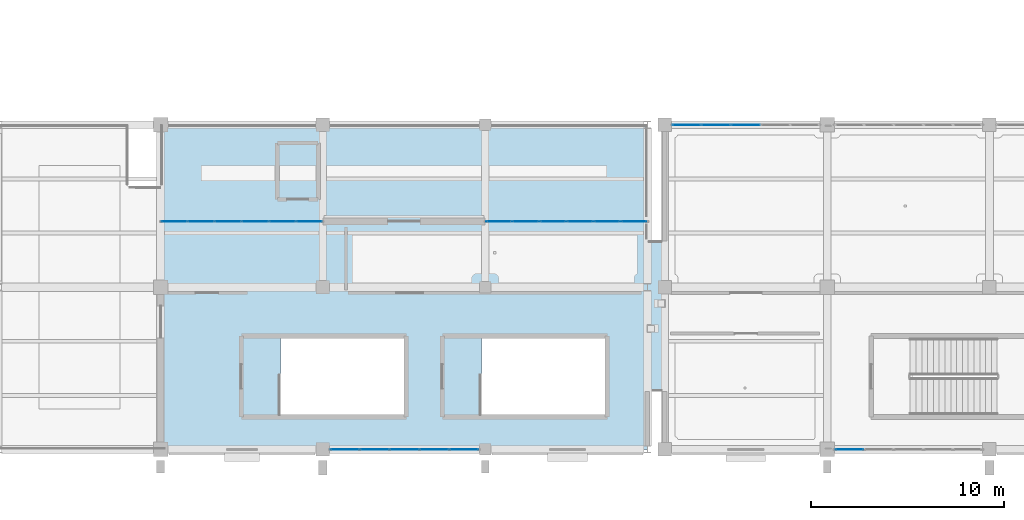
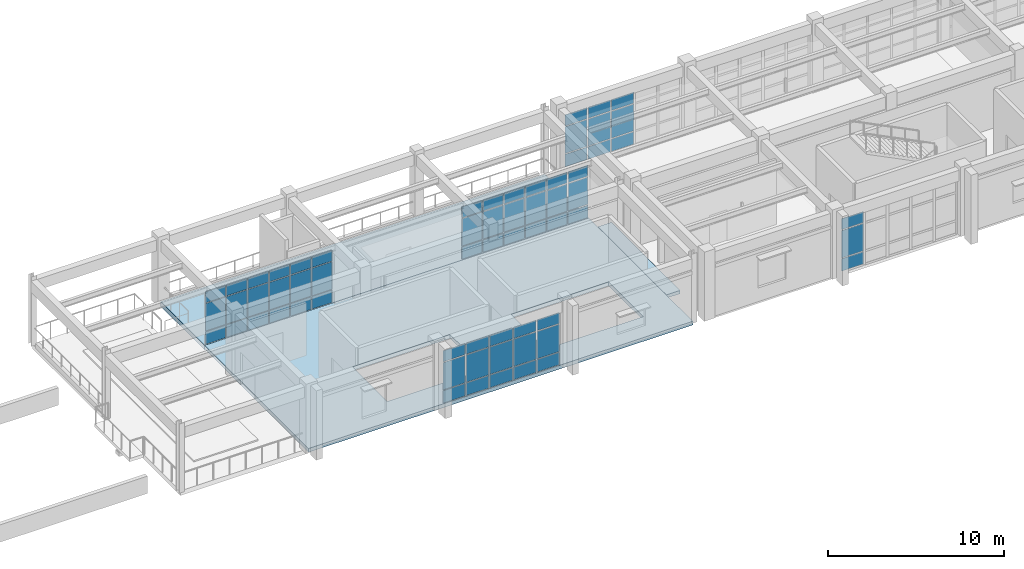
# One storey, part 68 of 98: 63 plates, 3 slabs, 5 elements without a shape of their own.
"""IFC4 building model written with IfcOpenShell, lengths in metres."""

from ifc_helpers import new_model, si_unit, direction, frame, origin, origin_2d, place, context, subcontext, project, spatial, polyline, rectangle, outline, extrude, material, layer, layer_set, type_object, element, aggregate, save


model = new_model("IFC4")

# Units and contexts
model_context = context("Model", 3, precision=1e-05, world=origin(), true_north=direction((0.0, 1.0)))
body_context = subcontext(model_context, "Body", "Model", "MODEL_VIEW")
ifc_project = project(units=[si_unit("LENGTHUNIT", "METRE"), si_unit("AREAUNIT", "SQUARE_METRE"), si_unit("VOLUMEUNIT", "CUBIC_METRE"), si_unit("PLANEANGLEUNIT", "RADIAN"), si_unit("MASSUNIT", "GRAM", prefix="KILO")], contexts=[model_context])

# Site, building, storey
site_placement = place(None, origin())
site = spatial("IfcSite", under=ifc_project, at=site_placement, CompositionType="ELEMENT")
building_placement = place(site_placement, origin())
building = spatial("IfcBuilding", under=site, at=building_placement, Name="Canglan Escarpment Cableway Terminal", CompositionType="ELEMENT")
storey_placement = place(building_placement, frame((0.0, 0.0, 9.60009765625)))
storey = spatial("IfcBuildingStorey", under=building, at=storey_placement, Name="L02", CompositionType="ELEMENT", Elevation=9.60009765625)

# Curtain wall, plates
ifc_material_1 = material(Name="Anodized bronze aluminium and Low-E double glazing", Category="aluminium")
curtain_wall_type_1 = type_object("IfcCurtainWallType", Name="CW-BAY-7750x3750", PredefinedType="NOTDEFINED", material=ifc_material_1)
curtain_wall_1_placement = place(storey_placement, origin())
curtain_wall_1 = element("IfcCurtainWall", 1, at=curtain_wall_1_placement, inside=storey, type_object=curtain_wall_type_1, Name="Classical bay-between-piers glazed curtain wall CW-07", PredefinedType="NOTDEFINED")
ifc_material_2 = material(Name="Double-silver Low-E laminated insulating glass", Category="glass")
ifc_layer_1 = layer(ifc_material_2, 0.02392578125, Name="Double-silver Low-E laminated insulating glass")
ifc_layer_set_1 = layer_set([ifc_layer_1], Name="Double-silver Low-E laminated insulating glass")
plate_type_1 = type_object("IfcPlateType", Name="CWP-01", PredefinedType="CURTAIN_PANEL", material=ifc_layer_set_1)
plate_1_placement = place(storey_placement, frame((60.441162109375, 8.0, 0.06005859375), z_axis=(0.0, 0.0, 1.0), x_axis=(1.0, 0.0, 0.0)))
plate_1 = element("IfcPlate", 2, at=plate_1_placement, type_object=plate_type_1, Name="CW-07 panel 1.1", PredefinedType="CURTAIN_PANEL", context=body_context, shape_type="SweptSolid", body=[
    extrude(rectangle(XDim=1.452392578125, YDim=0.02392578125, at=origin_2d()), origin(), (0.0, 0.0, 1.0), 0.860107421875),
])
plate_2_placement = place(storey_placement, frame((60.441162109375, 8.0, 0.97998046875), z_axis=(0.0, 0.0, 1.0), x_axis=(1.0, 0.0, 0.0)))
plate_2 = element("IfcPlate", 3, at=plate_2_placement, type_object=plate_type_1, Name="CW-07 panel 1.2", PredefinedType="CURTAIN_PANEL", context=body_context, shape_type="SweptSolid", body=[
    extrude(rectangle(XDim=1.452392578125, YDim=0.02392578125, at=origin_2d()), origin(), (0.0, 0.0, 1.0), 1.885009765625),
])
plate_3_placement = place(storey_placement, frame((60.441162109375, 8.0, 2.9248046875), z_axis=(0.0, 0.0, 1.0), x_axis=(1.0, 0.0, 0.0)))
plate_3 = element("IfcPlate", 4, at=plate_3_placement, type_object=plate_type_1, Name="CW-07 panel 1.3", PredefinedType="CURTAIN_PANEL", context=body_context, shape_type="SweptSolid", body=[
    extrude(rectangle(XDim=1.452392578125, YDim=0.02392578125, at=origin_2d()), origin(), (0.0, 0.0, 1.0), 0.760009765625),
])
plate_4_placement = place(storey_placement, frame((61.97509765625, 8.0, 0.06005859375), z_axis=(0.0, 0.0, 1.0), x_axis=(1.0, 0.0, 0.0)))
plate_4 = element("IfcPlate", 5, at=plate_4_placement, type_object=plate_type_1, Name="CW-07 panel 2.1", PredefinedType="CURTAIN_PANEL", context=body_context, shape_type="SweptSolid", body=[
    extrude(rectangle(XDim=1.485107421875, YDim=0.02392578125, at=origin_2d()), origin(), (0.0, 0.0, 1.0), 0.860107421875),
])
plate_5_placement = place(storey_placement, frame((61.97509765625, 8.0, 0.97998046875), z_axis=(0.0, 0.0, 1.0), x_axis=(1.0, 0.0, 0.0)))
plate_5 = element("IfcPlate", 6, at=plate_5_placement, type_object=plate_type_1, Name="CW-07 panel 2.2", PredefinedType="CURTAIN_PANEL", context=body_context, shape_type="SweptSolid", body=[
    extrude(rectangle(XDim=1.485107421875, YDim=0.02392578125, at=origin_2d()), origin(), (0.0, 0.0, 1.0), 1.885009765625),
])
plate_6_placement = place(storey_placement, frame((61.97509765625, 8.0, 2.9248046875), z_axis=(0.0, 0.0, 1.0), x_axis=(1.0, 0.0, 0.0)))
plate_6 = element("IfcPlate", 7, at=plate_6_placement, type_object=plate_type_1, Name="CW-07 panel 2.3", PredefinedType="CURTAIN_PANEL", context=body_context, shape_type="SweptSolid", body=[
    extrude(rectangle(XDim=1.485107421875, YDim=0.02392578125, at=origin_2d()), origin(), (0.0, 0.0, 1.0), 0.760009765625),
])
plate_7_placement = place(storey_placement, frame((63.52490234375, 8.0, 0.06005859375), z_axis=(0.0, 0.0, 1.0), x_axis=(1.0, 0.0, 0.0)))
plate_7 = element("IfcPlate", 8, at=plate_7_placement, type_object=plate_type_1, Name="CW-07 panel 3.1", PredefinedType="CURTAIN_PANEL", context=body_context, shape_type="SweptSolid", body=[
    extrude(rectangle(XDim=1.485107421875, YDim=0.02392578125, at=origin_2d()), origin(), (0.0, 0.0, 1.0), 0.860107421875),
])
plate_8_placement = place(storey_placement, frame((63.52490234375, 8.0, 0.97998046875), z_axis=(0.0, 0.0, 1.0), x_axis=(1.0, 0.0, 0.0)))
plate_8 = element("IfcPlate", 9, at=plate_8_placement, type_object=plate_type_1, Name="CW-07 panel 3.2", PredefinedType="CURTAIN_PANEL", context=body_context, shape_type="SweptSolid", body=[
    extrude(rectangle(XDim=1.485107421875, YDim=0.02392578125, at=origin_2d()), origin(), (0.0, 0.0, 1.0), 1.885009765625),
])
plate_9_placement = place(storey_placement, frame((63.52490234375, 8.0, 2.9248046875), z_axis=(0.0, 0.0, 1.0), x_axis=(1.0, 0.0, 0.0)))
plate_9 = element("IfcPlate", 10, at=plate_9_placement, type_object=plate_type_1, Name="CW-07 panel 3.3", PredefinedType="CURTAIN_PANEL", context=body_context, shape_type="SweptSolid", body=[
    extrude(rectangle(XDim=1.485107421875, YDim=0.02392578125, at=origin_2d()), origin(), (0.0, 0.0, 1.0), 0.760009765625),
])
plate_10_placement = place(storey_placement, frame((65.074951171875, 8.0, 0.06005859375), z_axis=(0.0, 0.0, 1.0), x_axis=(1.0, 0.0, 0.0)))
plate_10 = element("IfcPlate", 11, at=plate_10_placement, type_object=plate_type_1, Name="CW-07 panel 4.1", PredefinedType="CURTAIN_PANEL", context=body_context, shape_type="SweptSolid", body=[
    extrude(rectangle(XDim=1.485107421875, YDim=0.02392578125, at=origin_2d()), origin(), (0.0, 0.0, 1.0), 0.860107421875),
])
plate_11_placement = place(storey_placement, frame((65.074951171875, 8.0, 0.97998046875), z_axis=(0.0, 0.0, 1.0), x_axis=(1.0, 0.0, 0.0)))
plate_11 = element("IfcPlate", 12, at=plate_11_placement, type_object=plate_type_1, Name="CW-07 panel 4.2", PredefinedType="CURTAIN_PANEL", context=body_context, shape_type="SweptSolid", body=[
    extrude(rectangle(XDim=1.485107421875, YDim=0.02392578125, at=origin_2d()), origin(), (0.0, 0.0, 1.0), 1.885009765625),
])
plate_12_placement = place(storey_placement, frame((65.074951171875, 8.0, 2.9248046875), z_axis=(0.0, 0.0, 1.0), x_axis=(1.0, 0.0, 0.0)))
plate_12 = element("IfcPlate", 13, at=plate_12_placement, type_object=plate_type_1, Name="CW-07 panel 4.3", PredefinedType="CURTAIN_PANEL", context=body_context, shape_type="SweptSolid", body=[
    extrude(rectangle(XDim=1.485107421875, YDim=0.02392578125, at=origin_2d()), origin(), (0.0, 0.0, 1.0), 0.760009765625),
])
plate_13_placement = place(storey_placement, frame((66.608642578125, 8.0, 0.06005859375), z_axis=(0.0, 0.0, 1.0), x_axis=(1.0, 0.0, 0.0)))
plate_13 = element("IfcPlate", 14, at=plate_13_placement, type_object=plate_type_1, Name="CW-07 panel 5.1", PredefinedType="CURTAIN_PANEL", context=body_context, shape_type="SweptSolid", body=[
    extrude(rectangle(XDim=1.452392578125, YDim=0.02392578125, at=origin_2d()), origin(), (0.0, 0.0, 1.0), 0.860107421875),
])
plate_14_placement = place(storey_placement, frame((66.608642578125, 8.0, 0.97998046875), z_axis=(0.0, 0.0, 1.0), x_axis=(1.0, 0.0, 0.0)))
plate_14 = element("IfcPlate", 15, at=plate_14_placement, type_object=plate_type_1, Name="CW-07 panel 5.2", PredefinedType="CURTAIN_PANEL", context=body_context, shape_type="SweptSolid", body=[
    extrude(rectangle(XDim=1.452392578125, YDim=0.02392578125, at=origin_2d()), origin(), (0.0, 0.0, 1.0), 1.885009765625),
])
plate_15_placement = place(storey_placement, frame((66.608642578125, 8.0, 2.9248046875), z_axis=(0.0, 0.0, 1.0), x_axis=(1.0, 0.0, 0.0)))
plate_15 = element("IfcPlate", 16, at=plate_15_placement, type_object=plate_type_1, Name="CW-07 panel 5.3", PredefinedType="CURTAIN_PANEL", context=body_context, shape_type="SweptSolid", body=[
    extrude(rectangle(XDim=1.452392578125, YDim=0.02392578125, at=origin_2d()), origin(), (0.0, 0.0, 1.0), 0.760009765625),
])
aggregate(curtain_wall_1, [plate_1, plate_2, plate_3, plate_4, plate_5, plate_6, plate_7, plate_8, plate_9, plate_10, plate_11, plate_12, plate_13, plate_14, plate_15])

curtain_wall_type_2 = type_object("IfcCurtainWallType", Name="CW-BAY-7675x3725", PredefinedType="NOTDEFINED", material=ifc_material_1)
curtain_wall_2_placement = place(storey_placement, origin())
curtain_wall_2 = element("IfcCurtainWall", 17, at=curtain_wall_2_placement, inside=storey, type_object=curtain_wall_type_2, Name="Classical bay-between-piers glazed curtain wall CW-05", PredefinedType="NOTDEFINED")
plate_16_placement = place(storey_placement, frame((81.1875, 24.800048828125, 0.06005859375), z_axis=(0.0, 0.0, 1.0), x_axis=(-1.0, 0.0, 0.0)))
plate_16 = element("IfcPlate", 18, at=plate_16_placement, type_object=plate_type_1, Name="CW-05 panel 3.1", PredefinedType="CURTAIN_PANEL", context=body_context, shape_type="SweptSolid", body=[
    extrude(rectangle(XDim=1.469970703125, YDim=0.02392578125, at=origin_2d()), origin(), (0.0, 0.0, 1.0), 0.860107421875),
])
plate_17_placement = place(storey_placement, frame((81.1875, 24.800048828125, 0.97998046875), z_axis=(0.0, 0.0, 1.0), x_axis=(-1.0, 0.0, 0.0)))
plate_17 = element("IfcPlate", 19, at=plate_17_placement, type_object=plate_type_1, Name="CW-05 panel 3.2", PredefinedType="CURTAIN_PANEL", context=body_context, shape_type="SweptSolid", body=[
    extrude(rectangle(XDim=1.469970703125, YDim=0.02392578125, at=origin_2d()), origin(), (0.0, 0.0, 1.0), 1.85498046875),
])
plate_18_placement = place(storey_placement, frame((81.1875, 24.800048828125, 2.89501953125), z_axis=(0.0, 0.0, 1.0), x_axis=(-1.0, 0.0, 0.0)))
plate_18 = element("IfcPlate", 20, at=plate_18_placement, type_object=plate_type_1, Name="CW-05 panel 3.3", PredefinedType="CURTAIN_PANEL", context=body_context, shape_type="SweptSolid", body=[
    extrude(rectangle(XDim=1.469970703125, YDim=0.02392578125, at=origin_2d()), origin(), (0.0, 0.0, 1.0), 0.760009765625),
])
plate_19_placement = place(storey_placement, frame((79.652587890625, 24.800048828125, 0.06005859375), z_axis=(0.0, 0.0, 1.0), x_axis=(-1.0, 0.0, 0.0)))
plate_19 = element("IfcPlate", 21, at=plate_19_placement, type_object=plate_type_1, Name="CW-05 panel 4.1", PredefinedType="CURTAIN_PANEL", context=body_context, shape_type="SweptSolid", body=[
    extrude(rectangle(XDim=1.469970703125, YDim=0.02392578125, at=origin_2d()), origin(), (0.0, 0.0, 1.0), 0.860107421875),
])
plate_20_placement = place(storey_placement, frame((79.652587890625, 24.800048828125, 0.97998046875), z_axis=(0.0, 0.0, 1.0), x_axis=(-1.0, 0.0, 0.0)))
plate_20 = element("IfcPlate", 22, at=plate_20_placement, type_object=plate_type_1, Name="CW-05 panel 4.2", PredefinedType="CURTAIN_PANEL", context=body_context, shape_type="SweptSolid", body=[
    extrude(rectangle(XDim=1.469970703125, YDim=0.02392578125, at=origin_2d()), origin(), (0.0, 0.0, 1.0), 1.85498046875),
])
plate_21_placement = place(storey_placement, frame((79.652587890625, 24.800048828125, 2.89501953125), z_axis=(0.0, 0.0, 1.0), x_axis=(-1.0, 0.0, 0.0)))
plate_21 = element("IfcPlate", 23, at=plate_21_placement, type_object=plate_type_1, Name="CW-05 panel 4.3", PredefinedType="CURTAIN_PANEL", context=body_context, shape_type="SweptSolid", body=[
    extrude(rectangle(XDim=1.469970703125, YDim=0.02392578125, at=origin_2d()), origin(), (0.0, 0.0, 1.0), 0.760009765625),
])
plate_22_placement = place(storey_placement, frame((78.1337890625, 24.800048828125, 0.06005859375), z_axis=(0.0, 0.0, 1.0), x_axis=(-1.0, 0.0, 0.0)))
plate_22 = element("IfcPlate", 24, at=plate_22_placement, type_object=plate_type_1, Name="CW-05 panel 5.1", PredefinedType="CURTAIN_PANEL", context=body_context, shape_type="SweptSolid", body=[
    extrude(rectangle(XDim=1.4375, YDim=0.02392578125, at=origin_2d()), origin(), (0.0, 0.0, 1.0), 0.860107421875),
])
plate_23_placement = place(storey_placement, frame((78.1337890625, 24.800048828125, 0.97998046875), z_axis=(0.0, 0.0, 1.0), x_axis=(-1.0, 0.0, 0.0)))
plate_23 = element("IfcPlate", 25, at=plate_23_placement, type_object=plate_type_1, Name="CW-05 panel 5.2", PredefinedType="CURTAIN_PANEL", context=body_context, shape_type="SweptSolid", body=[
    extrude(rectangle(XDim=1.4375, YDim=0.02392578125, at=origin_2d()), origin(), (0.0, 0.0, 1.0), 1.85498046875),
])
plate_24_placement = place(storey_placement, frame((78.1337890625, 24.800048828125, 2.89501953125), z_axis=(0.0, 0.0, 1.0), x_axis=(-1.0, 0.0, 0.0)))
plate_24 = element("IfcPlate", 26, at=plate_24_placement, type_object=plate_type_1, Name="CW-05 panel 5.3", PredefinedType="CURTAIN_PANEL", context=body_context, shape_type="SweptSolid", body=[
    extrude(rectangle(XDim=1.4375, YDim=0.02392578125, at=origin_2d()), origin(), (0.0, 0.0, 1.0), 0.760009765625),
])
aggregate(curtain_wall_2, [plate_16, plate_17, plate_18, plate_19, plate_20, plate_21, plate_22, plate_23, plate_24])

curtain_wall_type_3 = type_object("IfcCurtainWallType", Name="CW-BAY-8400x3750", PredefinedType="NOTDEFINED", material=ifc_material_1)
curtain_wall_3_placement = place(storey_placement, origin())
curtain_wall_3 = element("IfcCurtainWall", 27, at=curtain_wall_3_placement, inside=storey, type_object=curtain_wall_type_3, Name="Classical bay-between-piers glazed curtain wall CW-08", PredefinedType="NOTDEFINED")
ifc_layer_2 = layer(ifc_material_2, 0.028076171875, Name="Double-silver Low-E laminated insulating glass")
ifc_layer_set_2 = layer_set([ifc_layer_2], Name="Double-silver Low-E laminated insulating glass")
plate_type_2 = type_object("IfcPlateType", Name="CWP-02", PredefinedType="CURTAIN_PANEL", material=ifc_layer_set_2)
plate_25_placement = place(storey_placement, frame((75.3837890625, 19.800048828125, 0.06494140625), z_axis=(0.0, 0.0, 1.0), x_axis=(-1.0, 0.0, 0.0)))
plate_25 = element("IfcPlate", 28, at=plate_25_placement, type_object=plate_type_2, Name="CW-08 panel 1.1", PredefinedType="CURTAIN_PANEL", context=body_context, shape_type="SweptSolid", body=[
    extrude(rectangle(XDim=1.302490234375, YDim=0.028076171875, at=origin_2d()), origin(), (0.0, 0.0, 1.0), 0.8525390625),
])
plate_26_placement = place(storey_placement, frame((75.3837890625, 19.800048828125, 0.982421875), z_axis=(0.0, 0.0, 1.0), x_axis=(-1.0, 0.0, 0.0)))
plate_26 = element("IfcPlate", 29, at=plate_26_placement, type_object=plate_type_2, Name="CW-08 panel 1.2", PredefinedType="CURTAIN_PANEL", context=body_context, shape_type="SweptSolid", body=[
    extrude(rectangle(XDim=1.302490234375, YDim=0.028076171875, at=origin_2d()), origin(), (0.0, 0.0, 1.0), 1.889892578125),
])
plate_27_placement = place(storey_placement, frame((75.3837890625, 19.800048828125, 2.9375), z_axis=(0.0, 0.0, 1.0), x_axis=(-1.0, 0.0, 0.0)))
plate_27 = element("IfcPlate", 30, at=plate_27_placement, type_object=plate_type_2, Name="CW-08 panel 1.3", PredefinedType="CURTAIN_PANEL", context=body_context, shape_type="SweptSolid", body=[
    extrude(rectangle(XDim=1.302490234375, YDim=0.028076171875, at=origin_2d()), origin(), (0.0, 0.0, 1.0), 0.75244140625),
])
plate_28_placement = place(storey_placement, frame((74.0, 19.800048828125, 0.06494140625), z_axis=(0.0, 0.0, 1.0), x_axis=(-1.0, 0.0, 0.0)))
plate_28 = element("IfcPlate", 31, at=plate_28_placement, type_object=plate_type_2, Name="CW-08 panel 2.1", PredefinedType="CURTAIN_PANEL", context=body_context, shape_type="SweptSolid", body=[
    extrude(rectangle(XDim=1.3349609375, YDim=0.028076171875, at=origin_2d()), origin(), (0.0, 0.0, 1.0), 0.8525390625),
])
plate_29_placement = place(storey_placement, frame((74.0, 19.800048828125, 0.982421875), z_axis=(0.0, 0.0, 1.0), x_axis=(-1.0, 0.0, 0.0)))
plate_29 = element("IfcPlate", 32, at=plate_29_placement, type_object=plate_type_2, Name="CW-08 panel 2.2", PredefinedType="CURTAIN_PANEL", context=body_context, shape_type="SweptSolid", body=[
    extrude(rectangle(XDim=1.3349609375, YDim=0.028076171875, at=origin_2d()), origin(), (0.0, 0.0, 1.0), 1.889892578125),
])
plate_30_placement = place(storey_placement, frame((74.0, 19.800048828125, 2.9375), z_axis=(0.0, 0.0, 1.0), x_axis=(-1.0, 0.0, 0.0)))
plate_30 = element("IfcPlate", 33, at=plate_30_placement, type_object=plate_type_2, Name="CW-08 panel 2.3", PredefinedType="CURTAIN_PANEL", context=body_context, shape_type="SweptSolid", body=[
    extrude(rectangle(XDim=1.3349609375, YDim=0.028076171875, at=origin_2d()), origin(), (0.0, 0.0, 1.0), 0.75244140625),
])
plate_31_placement = place(storey_placement, frame((72.60009765625, 19.800048828125, 0.06494140625), z_axis=(0.0, 0.0, 1.0), x_axis=(-1.0, 0.0, 0.0)))
plate_31 = element("IfcPlate", 34, at=plate_31_placement, type_object=plate_type_2, Name="CW-08 panel 3.1", PredefinedType="CURTAIN_PANEL", context=body_context, shape_type="SweptSolid", body=[
    extrude(rectangle(XDim=1.3349609375, YDim=0.028076171875, at=origin_2d()), origin(), (0.0, 0.0, 1.0), 0.8525390625),
])
plate_32_placement = place(storey_placement, frame((72.60009765625, 19.800048828125, 0.982421875), z_axis=(0.0, 0.0, 1.0), x_axis=(-1.0, 0.0, 0.0)))
plate_32 = element("IfcPlate", 35, at=plate_32_placement, type_object=plate_type_2, Name="CW-08 panel 3.2", PredefinedType="CURTAIN_PANEL", context=body_context, shape_type="SweptSolid", body=[
    extrude(rectangle(XDim=1.3349609375, YDim=0.028076171875, at=origin_2d()), origin(), (0.0, 0.0, 1.0), 1.889892578125),
])
plate_33_placement = place(storey_placement, frame((72.60009765625, 19.800048828125, 2.9375), z_axis=(0.0, 0.0, 1.0), x_axis=(-1.0, 0.0, 0.0)))
plate_33 = element("IfcPlate", 36, at=plate_33_placement, type_object=plate_type_2, Name="CW-08 panel 3.3", PredefinedType="CURTAIN_PANEL", context=body_context, shape_type="SweptSolid", body=[
    extrude(rectangle(XDim=1.3349609375, YDim=0.028076171875, at=origin_2d()), origin(), (0.0, 0.0, 1.0), 0.75244140625),
])
plate_34_placement = place(storey_placement, frame((71.199951171875, 19.800048828125, 0.06494140625), z_axis=(0.0, 0.0, 1.0), x_axis=(-1.0, 0.0, 0.0)))
plate_34 = element("IfcPlate", 37, at=plate_34_placement, type_object=plate_type_2, Name="CW-08 panel 4.1", PredefinedType="CURTAIN_PANEL", context=body_context, shape_type="SweptSolid", body=[
    extrude(rectangle(XDim=1.3349609375, YDim=0.028076171875, at=origin_2d()), origin(), (0.0, 0.0, 1.0), 0.8525390625),
])
plate_35_placement = place(storey_placement, frame((71.199951171875, 19.800048828125, 0.982421875), z_axis=(0.0, 0.0, 1.0), x_axis=(-1.0, 0.0, 0.0)))
plate_35 = element("IfcPlate", 38, at=plate_35_placement, type_object=plate_type_2, Name="CW-08 panel 4.2", PredefinedType="CURTAIN_PANEL", context=body_context, shape_type="SweptSolid", body=[
    extrude(rectangle(XDim=1.3349609375, YDim=0.028076171875, at=origin_2d()), origin(), (0.0, 0.0, 1.0), 1.889892578125),
])
plate_36_placement = place(storey_placement, frame((71.199951171875, 19.800048828125, 2.9375), z_axis=(0.0, 0.0, 1.0), x_axis=(-1.0, 0.0, 0.0)))
plate_36 = element("IfcPlate", 39, at=plate_36_placement, type_object=plate_type_2, Name="CW-08 panel 4.3", PredefinedType="CURTAIN_PANEL", context=body_context, shape_type="SweptSolid", body=[
    extrude(rectangle(XDim=1.3349609375, YDim=0.028076171875, at=origin_2d()), origin(), (0.0, 0.0, 1.0), 0.75244140625),
])
plate_37_placement = place(storey_placement, frame((69.800048828125, 19.800048828125, 0.06494140625), z_axis=(0.0, 0.0, 1.0), x_axis=(-1.0, 0.0, 0.0)))
plate_37 = element("IfcPlate", 40, at=plate_37_placement, type_object=plate_type_2, Name="CW-08 panel 5.1", PredefinedType="CURTAIN_PANEL", context=body_context, shape_type="SweptSolid", body=[
    extrude(rectangle(XDim=1.3349609375, YDim=0.028076171875, at=origin_2d()), origin(), (0.0, 0.0, 1.0), 0.8525390625),
])
plate_38_placement = place(storey_placement, frame((69.800048828125, 19.800048828125, 0.982421875), z_axis=(0.0, 0.0, 1.0), x_axis=(-1.0, 0.0, 0.0)))
plate_38 = element("IfcPlate", 41, at=plate_38_placement, type_object=plate_type_2, Name="CW-08 panel 5.2", PredefinedType="CURTAIN_PANEL", context=body_context, shape_type="SweptSolid", body=[
    extrude(rectangle(XDim=1.3349609375, YDim=0.028076171875, at=origin_2d()), origin(), (0.0, 0.0, 1.0), 1.889892578125),
])
plate_39_placement = place(storey_placement, frame((69.800048828125, 19.800048828125, 2.9375), z_axis=(0.0, 0.0, 1.0), x_axis=(-1.0, 0.0, 0.0)))
plate_39 = element("IfcPlate", 42, at=plate_39_placement, type_object=plate_type_2, Name="CW-08 panel 5.3", PredefinedType="CURTAIN_PANEL", context=body_context, shape_type="SweptSolid", body=[
    extrude(rectangle(XDim=1.3349609375, YDim=0.028076171875, at=origin_2d()), origin(), (0.0, 0.0, 1.0), 0.75244140625),
])
plate_40_placement = place(storey_placement, frame((68.416259765625, 19.800048828125, 0.06494140625), z_axis=(0.0, 0.0, 1.0), x_axis=(-1.0, 0.0, 0.0)))
plate_40 = element("IfcPlate", 43, at=plate_40_placement, type_object=plate_type_2, Name="CW-08 panel 6.1", PredefinedType="CURTAIN_PANEL", context=body_context, shape_type="SweptSolid", body=[
    extrude(rectangle(XDim=1.302490234375, YDim=0.028076171875, at=origin_2d()), origin(), (0.0, 0.0, 1.0), 0.8525390625),
])
plate_41_placement = place(storey_placement, frame((68.416259765625, 19.800048828125, 0.982421875), z_axis=(0.0, 0.0, 1.0), x_axis=(-1.0, 0.0, 0.0)))
plate_41 = element("IfcPlate", 44, at=plate_41_placement, type_object=plate_type_2, Name="CW-08 panel 6.2", PredefinedType="CURTAIN_PANEL", context=body_context, shape_type="SweptSolid", body=[
    extrude(rectangle(XDim=1.302490234375, YDim=0.028076171875, at=origin_2d()), origin(), (0.0, 0.0, 1.0), 1.889892578125),
])
plate_42_placement = place(storey_placement, frame((68.416259765625, 19.800048828125, 2.9375), z_axis=(0.0, 0.0, 1.0), x_axis=(-1.0, 0.0, 0.0)))
plate_42 = element("IfcPlate", 45, at=plate_42_placement, type_object=plate_type_2, Name="CW-08 panel 6.3", PredefinedType="CURTAIN_PANEL", context=body_context, shape_type="SweptSolid", body=[
    extrude(rectangle(XDim=1.302490234375, YDim=0.028076171875, at=origin_2d()), origin(), (0.0, 0.0, 1.0), 0.75244140625),
])
aggregate(curtain_wall_3, [plate_25, plate_26, plate_27, plate_28, plate_29, plate_30, plate_31, plate_32, plate_33, plate_34, plate_35, plate_36, plate_37, plate_38, plate_39, plate_40, plate_41, plate_42])

curtain_wall_type_4 = type_object("IfcCurtainWallType", Name="CW-BAY-7675x3750", PredefinedType="NOTDEFINED", material=ifc_material_1)
curtain_wall_4_placement = place(storey_placement, origin())
curtain_wall_4 = element("IfcCurtainWall", 46, at=curtain_wall_4_placement, inside=storey, type_object=curtain_wall_type_4, Name="Classical bay-between-piers glazed curtain wall CW-11", PredefinedType="NOTDEFINED")
plate_43_placement = place(storey_placement, frame((86.558837890625, 8.0, 0.06494140625), z_axis=(0.0, 0.0, 1.0), x_axis=(1.0, 0.0, 0.0)))
plate_43 = element("IfcPlate", 47, at=plate_43_placement, type_object=plate_type_2, Name="CW-11 panel 1.1", PredefinedType="CURTAIN_PANEL", context=body_context, shape_type="SweptSolid", body=[
    extrude(rectangle(XDim=1.4375, YDim=0.028076171875, at=origin_2d()), origin(), (0.0, 0.0, 1.0), 0.8525390625),
])
plate_44_placement = place(storey_placement, frame((86.558837890625, 8.0, 0.982421875), z_axis=(0.0, 0.0, 1.0), x_axis=(1.0, 0.0, 0.0)))
plate_44 = element("IfcPlate", 48, at=plate_44_placement, type_object=plate_type_2, Name="CW-11 panel 1.2", PredefinedType="CURTAIN_PANEL", context=body_context, shape_type="SweptSolid", body=[
    extrude(rectangle(XDim=1.4375, YDim=0.028076171875, at=origin_2d()), origin(), (0.0, 0.0, 1.0), 1.889892578125),
])
plate_45_placement = place(storey_placement, frame((86.558837890625, 8.0, 2.9375), z_axis=(0.0, 0.0, 1.0), x_axis=(1.0, 0.0, 0.0)))
plate_45 = element("IfcPlate", 49, at=plate_45_placement, type_object=plate_type_2, Name="CW-11 panel 1.3", PredefinedType="CURTAIN_PANEL", context=body_context, shape_type="SweptSolid", body=[
    extrude(rectangle(XDim=1.4375, YDim=0.028076171875, at=origin_2d()), origin(), (0.0, 0.0, 1.0), 0.75244140625),
])
aggregate(curtain_wall_4, [plate_43, plate_44, plate_45])

curtain_wall_5_placement = place(storey_placement, origin())
curtain_wall_5 = element("IfcCurtainWall", 50, at=curtain_wall_5_placement, inside=storey, type_object=curtain_wall_type_3, Name="Classical bay-between-piers glazed curtain wall CW-08", PredefinedType="NOTDEFINED")
ifc_layer_3 = layer(ifc_material_2, 0.035888671875, Name="Double-silver Low-E laminated insulating glass")
ifc_layer_set_3 = layer_set([ifc_layer_3], Name="Double-silver Low-E laminated insulating glass")
plate_type_3 = type_object("IfcPlateType", Name="CWP-04", PredefinedType="CURTAIN_PANEL", material=ifc_layer_set_3)
plate_46_placement = place(storey_placement, frame((58.5849609375, 19.800048828125, 0.05517578125), z_axis=(0.0, 0.0, 1.0), x_axis=(-1.0, 0.0, 0.0)))
plate_46 = element("IfcPlate", 51, at=plate_46_placement, type_object=plate_type_3, Name="CW-08 panel 1.1", PredefinedType="CURTAIN_PANEL", context=body_context, shape_type="SweptSolid", body=[
    extrude(rectangle(XDim=1.31005859375, YDim=0.035888671875, at=origin_2d()), origin(), (0.0, 0.0, 1.0), 0.867431640625),
])
plate_47_placement = place(storey_placement, frame((58.5849609375, 19.800048828125, 0.9775390625), z_axis=(0.0, 0.0, 1.0), x_axis=(-1.0, 0.0, 0.0)))
plate_47 = element("IfcPlate", 52, at=plate_47_placement, type_object=plate_type_3, Name="CW-08 panel 1.2", PredefinedType="CURTAIN_PANEL", context=body_context, shape_type="SweptSolid", body=[
    extrude(rectangle(XDim=1.31005859375, YDim=0.035888671875, at=origin_2d()), origin(), (0.0, 0.0, 1.0), 1.89990234375),
])
plate_48_placement = place(storey_placement, frame((58.5849609375, 19.800048828125, 2.932373046875), z_axis=(0.0, 0.0, 1.0), x_axis=(-1.0, 0.0, 0.0)))
plate_48 = element("IfcPlate", 53, at=plate_48_placement, type_object=plate_type_3, Name="CW-08 panel 1.3", PredefinedType="CURTAIN_PANEL", context=body_context, shape_type="SweptSolid", body=[
    extrude(rectangle(XDim=1.31005859375, YDim=0.035888671875, at=origin_2d()), origin(), (0.0, 0.0, 1.0), 0.767578125),
])
plate_49_placement = place(storey_placement, frame((57.199951171875, 19.800048828125, 0.05517578125), z_axis=(0.0, 0.0, 1.0), x_axis=(-1.0, 0.0, 0.0)))
plate_49 = element("IfcPlate", 54, at=plate_49_placement, type_object=plate_type_3, Name="CW-08 panel 2.1", PredefinedType="CURTAIN_PANEL", context=body_context, shape_type="SweptSolid", body=[
    extrude(rectangle(XDim=1.340087890625, YDim=0.035888671875, at=origin_2d()), origin(), (0.0, 0.0, 1.0), 0.867431640625),
])
plate_50_placement = place(storey_placement, frame((57.199951171875, 19.800048828125, 0.9775390625), z_axis=(0.0, 0.0, 1.0), x_axis=(-1.0, 0.0, 0.0)))
plate_50 = element("IfcPlate", 55, at=plate_50_placement, type_object=plate_type_3, Name="CW-08 panel 2.2", PredefinedType="CURTAIN_PANEL", context=body_context, shape_type="SweptSolid", body=[
    extrude(rectangle(XDim=1.340087890625, YDim=0.035888671875, at=origin_2d()), origin(), (0.0, 0.0, 1.0), 1.89990234375),
])
plate_51_placement = place(storey_placement, frame((57.199951171875, 19.800048828125, 2.932373046875), z_axis=(0.0, 0.0, 1.0), x_axis=(-1.0, 0.0, 0.0)))
plate_51 = element("IfcPlate", 56, at=plate_51_placement, type_object=plate_type_3, Name="CW-08 panel 2.3", PredefinedType="CURTAIN_PANEL", context=body_context, shape_type="SweptSolid", body=[
    extrude(rectangle(XDim=1.340087890625, YDim=0.035888671875, at=origin_2d()), origin(), (0.0, 0.0, 1.0), 0.767578125),
])
plate_52_placement = place(storey_placement, frame((55.800048828125, 19.800048828125, 0.05517578125), z_axis=(0.0, 0.0, 1.0), x_axis=(-1.0, 0.0, 0.0)))
plate_52 = element("IfcPlate", 57, at=plate_52_placement, type_object=plate_type_3, Name="CW-08 panel 3.1", PredefinedType="CURTAIN_PANEL", context=body_context, shape_type="SweptSolid", body=[
    extrude(rectangle(XDim=1.340087890625, YDim=0.035888671875, at=origin_2d()), origin(), (0.0, 0.0, 1.0), 0.867431640625),
])
plate_53_placement = place(storey_placement, frame((55.800048828125, 19.800048828125, 0.9775390625), z_axis=(0.0, 0.0, 1.0), x_axis=(-1.0, 0.0, 0.0)))
plate_53 = element("IfcPlate", 58, at=plate_53_placement, type_object=plate_type_3, Name="CW-08 panel 3.2", PredefinedType="CURTAIN_PANEL", context=body_context, shape_type="SweptSolid", body=[
    extrude(rectangle(XDim=1.340087890625, YDim=0.035888671875, at=origin_2d()), origin(), (0.0, 0.0, 1.0), 1.89990234375),
])
plate_54_placement = place(storey_placement, frame((55.800048828125, 19.800048828125, 2.932373046875), z_axis=(0.0, 0.0, 1.0), x_axis=(-1.0, 0.0, 0.0)))
plate_54 = element("IfcPlate", 59, at=plate_54_placement, type_object=plate_type_3, Name="CW-08 panel 3.3", PredefinedType="CURTAIN_PANEL", context=body_context, shape_type="SweptSolid", body=[
    extrude(rectangle(XDim=1.340087890625, YDim=0.035888671875, at=origin_2d()), origin(), (0.0, 0.0, 1.0), 0.767578125),
])
plate_55_placement = place(storey_placement, frame((54.39990234375, 19.800048828125, 0.05517578125), z_axis=(0.0, 0.0, 1.0), x_axis=(-1.0, 0.0, 0.0)))
plate_55 = element("IfcPlate", 60, at=plate_55_placement, type_object=plate_type_3, Name="CW-08 panel 4.1", PredefinedType="CURTAIN_PANEL", context=body_context, shape_type="SweptSolid", body=[
    extrude(rectangle(XDim=1.340087890625, YDim=0.035888671875, at=origin_2d()), origin(), (0.0, 0.0, 1.0), 0.867431640625),
])
plate_56_placement = place(storey_placement, frame((54.39990234375, 19.800048828125, 0.9775390625), z_axis=(0.0, 0.0, 1.0), x_axis=(-1.0, 0.0, 0.0)))
plate_56 = element("IfcPlate", 61, at=plate_56_placement, type_object=plate_type_3, Name="CW-08 panel 4.2", PredefinedType="CURTAIN_PANEL", context=body_context, shape_type="SweptSolid", body=[
    extrude(rectangle(XDim=1.340087890625, YDim=0.035888671875, at=origin_2d()), origin(), (0.0, 0.0, 1.0), 1.89990234375),
])
plate_57_placement = place(storey_placement, frame((54.39990234375, 19.800048828125, 2.932373046875), z_axis=(0.0, 0.0, 1.0), x_axis=(-1.0, 0.0, 0.0)))
plate_57 = element("IfcPlate", 62, at=plate_57_placement, type_object=plate_type_3, Name="CW-08 panel 4.3", PredefinedType="CURTAIN_PANEL", context=body_context, shape_type="SweptSolid", body=[
    extrude(rectangle(XDim=1.340087890625, YDim=0.035888671875, at=origin_2d()), origin(), (0.0, 0.0, 1.0), 0.767578125),
])
plate_58_placement = place(storey_placement, frame((53.0, 19.800048828125, 0.05517578125), z_axis=(0.0, 0.0, 1.0), x_axis=(-1.0, 0.0, 0.0)))
plate_58 = element("IfcPlate", 63, at=plate_58_placement, type_object=plate_type_3, Name="CW-08 panel 5.1", PredefinedType="CURTAIN_PANEL", context=body_context, shape_type="SweptSolid", body=[
    extrude(rectangle(XDim=1.340087890625, YDim=0.035888671875, at=origin_2d()), origin(), (0.0, 0.0, 1.0), 0.867431640625),
])
plate_59_placement = place(storey_placement, frame((53.0, 19.800048828125, 0.9775390625), z_axis=(0.0, 0.0, 1.0), x_axis=(-1.0, 0.0, 0.0)))
plate_59 = element("IfcPlate", 64, at=plate_59_placement, type_object=plate_type_3, Name="CW-08 panel 5.2", PredefinedType="CURTAIN_PANEL", context=body_context, shape_type="SweptSolid", body=[
    extrude(rectangle(XDim=1.340087890625, YDim=0.035888671875, at=origin_2d()), origin(), (0.0, 0.0, 1.0), 1.89990234375),
])
plate_60_placement = place(storey_placement, frame((53.0, 19.800048828125, 2.932373046875), z_axis=(0.0, 0.0, 1.0), x_axis=(-1.0, 0.0, 0.0)))
plate_60 = element("IfcPlate", 65, at=plate_60_placement, type_object=plate_type_3, Name="CW-08 panel 5.3", PredefinedType="CURTAIN_PANEL", context=body_context, shape_type="SweptSolid", body=[
    extrude(rectangle(XDim=1.340087890625, YDim=0.035888671875, at=origin_2d()), origin(), (0.0, 0.0, 1.0), 0.767578125),
])
plate_61_placement = place(storey_placement, frame((51.614990234375, 19.800048828125, 0.05517578125), z_axis=(0.0, 0.0, 1.0), x_axis=(-1.0, 0.0, 0.0)))
plate_61 = element("IfcPlate", 66, at=plate_61_placement, type_object=plate_type_3, Name="CW-08 panel 6.1", PredefinedType="CURTAIN_PANEL", context=body_context, shape_type="SweptSolid", body=[
    extrude(rectangle(XDim=1.31005859375, YDim=0.035888671875, at=origin_2d()), origin(), (0.0, 0.0, 1.0), 0.867431640625),
])
plate_62_placement = place(storey_placement, frame((51.614990234375, 19.800048828125, 0.9775390625), z_axis=(0.0, 0.0, 1.0), x_axis=(-1.0, 0.0, 0.0)))
plate_62 = element("IfcPlate", 67, at=plate_62_placement, type_object=plate_type_3, Name="CW-08 panel 6.2", PredefinedType="CURTAIN_PANEL", context=body_context, shape_type="SweptSolid", body=[
    extrude(rectangle(XDim=1.31005859375, YDim=0.035888671875, at=origin_2d()), origin(), (0.0, 0.0, 1.0), 1.89990234375),
])
plate_63_placement = place(storey_placement, frame((51.614990234375, 19.800048828125, 2.932373046875), z_axis=(0.0, 0.0, 1.0), x_axis=(-1.0, 0.0, 0.0)))
plate_63 = element("IfcPlate", 68, at=plate_63_placement, type_object=plate_type_3, Name="CW-08 panel 6.3", PredefinedType="CURTAIN_PANEL", context=body_context, shape_type="SweptSolid", body=[
    extrude(rectangle(XDim=1.31005859375, YDim=0.035888671875, at=origin_2d()), origin(), (0.0, 0.0, 1.0), 0.767578125),
])
aggregate(curtain_wall_5, [plate_46, plate_47, plate_48, plate_49, plate_50, plate_51, plate_52, plate_53, plate_54, plate_55, plate_56, plate_57, plate_58, plate_59, plate_60, plate_61, plate_62, plate_63])

# Slabs
ifc_material_3 = material(Name="Concrete C40", Category="concrete")
ifc_layer_4 = layer(ifc_material_3, 0.260009765625, Name="Concrete C40")
ifc_layer_set_4 = layer_set([ifc_layer_4], Name="Concrete C40")
slab_type_1 = type_object("IfcSlabType", Name="SLB-FLR-260", PredefinedType="FLOOR", material=ifc_layer_set_4)
slab_1_placement = place(storey_placement, frame((0.0, 0.0, -0.260009765625)))
element("IfcSlab", 69, at=slab_1_placement, inside=storey, type_object=slab_type_1, Name="Suspended structural floor slab L02", PredefinedType="FLOOR", context=body_context, shape_type="SweptSolid", body=[
    extrude(outline(polyline([(50.89990234375, 8.0), (76.10009765625, 8.0), (76.10009765625, 19.800048828125), (50.89990234375, 19.800048828125), (50.89990234375, 8.0)]), holes=[polyline([(57.10009765625, 9.800048828125), (57.10009765625, 11.85009765625), (57.10595703125, 11.85009765625), (57.10595703125, 13.75), (63.5, 13.75), (63.5, 11.85009765625), (63.5, 11.830078125), (63.5, 9.800048828125), (57.10009765625, 9.800048828125)]), polyline([(67.5, 9.800048828125), (67.5, 11.85009765625), (67.506103515625, 11.85009765625), (67.506103515625, 13.75), (73.89990234375, 13.75), (73.89990234375, 11.85009765625), (73.89990234375, 11.830078125), (73.89990234375, 9.800048828125), (67.5, 9.800048828125)])]), origin(), (0.0, 0.0, 1.0), 0.260009765625),
])
ifc_layer_5 = layer(ifc_material_3, 0.320068359375, Name="Concrete C40")
ifc_layer_set_5 = layer_set([ifc_layer_5], Name="Concrete C40")
slab_type_2 = type_object("IfcSlabType", Name="SLB-GARDEN-320", PredefinedType="FLOOR", material=ifc_layer_set_5)
slab_2_placement = place(storey_placement, frame((0.0, 0.0, -0.320068359375)))
element("IfcSlab", 70, at=slab_2_placement, inside=storey, type_object=slab_type_2, Name="Planted roof garden terrace SG-01", PredefinedType="FLOOR", context=body_context, shape_type="SweptSolid", body=[
    extrude(outline(polyline([(50.89990234375, 19.800048828125), (76.10009765625, 19.800048828125), (76.10009765625, 24.800048828125), (50.89990234375, 24.800048828125), (50.89990234375, 19.800048828125)])), origin(), (0.0, 0.0, 1.0), 0.320068359375),
])
ifc_layer_6 = layer(ifc_material_3, 0.219970703125, Name="Concrete C40")
ifc_layer_set_6 = layer_set([ifc_layer_6], Name="Concrete C40")
slab_type_3 = type_object("IfcSlabType", Name="SLB-LINK-220", PredefinedType="FLOOR", material=ifc_layer_set_6)
slab_3_placement = place(storey_placement, frame((0.0, 0.0, -0.22021484375)))
element("IfcSlab", 71, at=slab_3_placement, inside=storey, type_object=slab_type_3, Name="Movement-joint concourse link slab MJ-S1", PredefinedType="FLOOR", context=body_context, shape_type="SweptSolid", body=[
    extrude(outline(polyline([(76.9951171875, 18.800048828125), (76.9951171875, 11.0), (76.10498046875, 11.0), (76.10498046875, 18.800048828125), (76.9951171875, 18.800048828125)])), origin(), (0.0, 0.0, 1.0), 0.22021484375),
])

save(model, "model.ifc")
